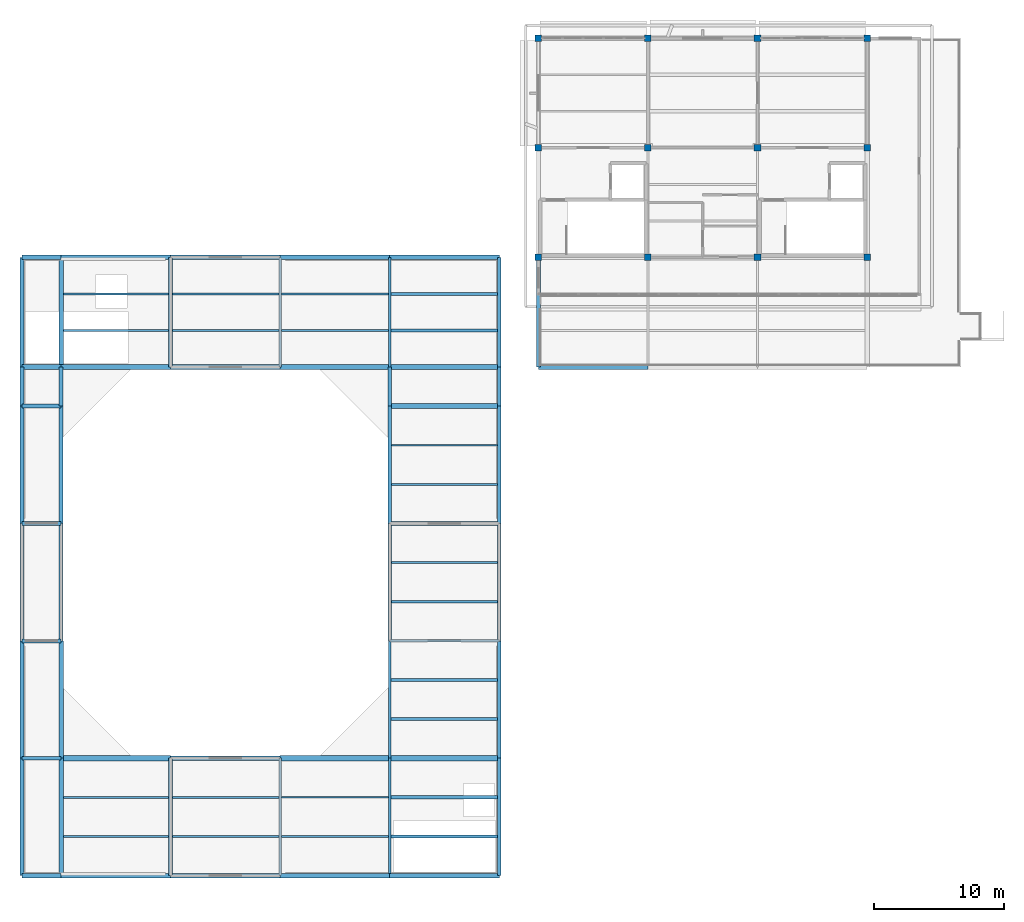
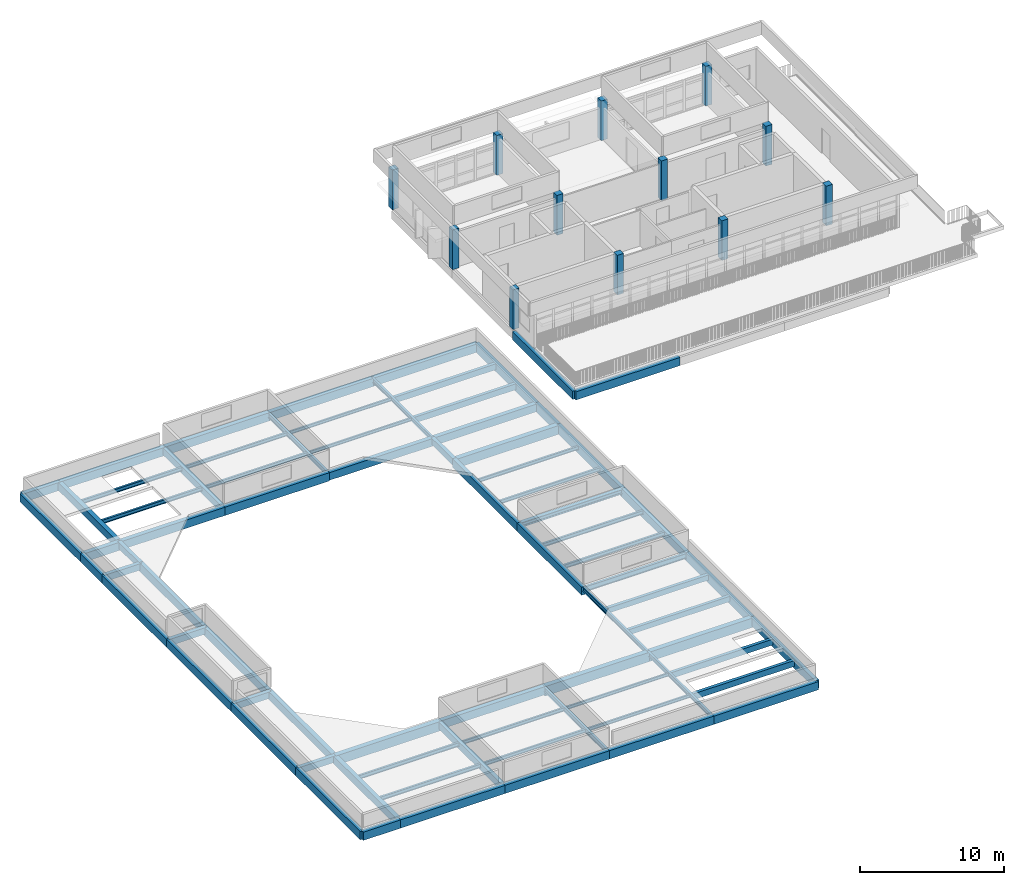
# One storey, part 1 of 14: 78 beams, 12 columns.
"""IFC4 building model written with IfcOpenShell, lengths in metres."""

import ifcopenshell
import ifcopenshell.guid

model = None  # the IFC model being written
_history = None  # IfcOwnerHistory: only IFC2X3 demands one
_inside = {}  # id of a spatial element -> (the spatial element, [elements in it])
_under = {}  # id of a project, library or spatial element -> (it, [spatial elements below it])
_declared = {}  # id of a project -> (the project, [libraries it declares])
_typed = {}  # id of a type object -> (the type object, [elements of that type])
_made_of = {}  # id of a material, layer set ... -> (it, [elements and type objects made of it])


def new_model(schema):
    """Start an empty IFC model of exactly this schema.

    Asked for "IFC4X3", IfcOpenShell would pick the latest addendum, in which some entities
    have other attributes; the version numbers below select the first issue.
    IFC2X3 requires an IfcOwnerHistory on every rooted entity: one is made here for all.
    """
    global model, _history
    if schema == "IFC4X3":
        model = ifcopenshell.file(schema_version=(4, 3, 0, 0))
    else:
        model = ifcopenshell.file(schema=schema)
    _inside.clear()
    _under.clear()
    _declared.clear()
    _typed.clear()
    _made_of.clear()
    _history = None
    if model.schema == "IFC2X3":
        org = make("IfcOrganization", Name="unknown")
        user = make(
            "IfcPersonAndOrganization",
            ThePerson=make("IfcPerson", FamilyName="unknown"),
            TheOrganization=org,
        )
        app = make(
            "IfcApplication",
            ApplicationDeveloper=org,
            Version="unknown",
            ApplicationFullName="unknown",
            ApplicationIdentifier="unknown",
        )
        _history = make(
            "IfcOwnerHistory",
            OwningUser=user,
            OwningApplication=app,
            ChangeAction="ADDED",
            CreationDate=0,
        )
    return model


def make(cls, **values):
    """One entity of the class cls with the attributes given. An attribute that is None is left unset."""
    return model.create_entity(
        cls, **{name: value for name, value in values.items() if value is not None}
    )


def rooted(cls, **values):
    """An entity with a GlobalId (a new one), such as an element, a storey or a relation."""
    return make(cls, GlobalId=ifcopenshell.guid.new(), OwnerHistory=_history, **values)


def si_unit(unit_type, name, prefix=None):
    """IfcSIUnit, for example si_unit("LENGTHUNIT", "METRE", prefix="MILLI")."""
    return make("IfcSIUnit", UnitType=unit_type, Prefix=prefix, Name=name)


def assignment(units):
    """IfcUnitAssignment: the units of a project."""
    return None if units is None else make("IfcUnitAssignment", Units=units)


def point(xyz):
    """IfcCartesianPoint."""
    return None if xyz is None else make("IfcCartesianPoint", Coordinates=xyz)


def direction(xyz):
    """IfcDirection."""
    return None if xyz is None else make("IfcDirection", DirectionRatios=xyz)


def frame(location, z_axis=None, x_axis=None):
    """IfcAxis2Placement3D, a coordinate frame: its origin and axes. An axis left out is left unset."""
    return make(
        "IfcAxis2Placement3D",
        Location=point(location),
        Axis=direction(z_axis),
        RefDirection=direction(x_axis),
    )


def frame_2d(location, x_axis=None):
    """IfcAxis2Placement2D, a coordinate frame in the plane: its origin and x axis."""
    return make(
        "IfcAxis2Placement2D", Location=point(location), RefDirection=direction(x_axis)
    )


def origin():
    """The frame at (0, 0, 0) with its axes left unset."""
    return frame((0.0, 0.0, 0.0))


def origin_2d():
    """The frame at (0, 0) in the plane with its x axis left unset."""
    return frame_2d((0.0, 0.0))


def place(relative_to, where):
    """IfcLocalPlacement: puts the frame where relative to a parent placement (None: the world)."""
    return make(
        "IfcLocalPlacement", PlacementRelTo=relative_to, RelativePlacement=where
    )


def context(
    kind, dimensions, precision=None, world=None, true_north=None, identifier=None
):
    """IfcGeometricRepresentationContext, for example the 3D "Model" context."""
    return make(
        "IfcGeometricRepresentationContext",
        ContextIdentifier=identifier,
        ContextType=kind,
        CoordinateSpaceDimension=dimensions,
        Precision=precision,
        WorldCoordinateSystem=world,
        TrueNorth=true_north,
    )


def subcontext(parent, identifier, kind, view, scale=None):
    """IfcGeometricRepresentationSubContext, for example "Body" below "Model"."""
    return make(
        "IfcGeometricRepresentationSubContext",
        ContextIdentifier=identifier,
        ContextType=kind,
        ParentContext=parent,
        TargetScale=scale,
        TargetView=view,
    )


def project(units=None, contexts=None):
    """IfcProject with its units and contexts."""
    return rooted(
        "IfcProject",
        Name="project",
        RepresentationContexts=contexts,
        UnitsInContext=assignment(units),
    )


def spatial(cls, under=None, at=None, **own):
    """A site, building, storey or space (cls), placed at a placement, below another one or the project."""
    s = rooted(cls, ObjectPlacement=at, **own)
    if under is not None:
        _under.setdefault(under.id(), (under, []))[1].append(s)
    return s


def profile(cls, at=None, kind="AREA", **sizes):
    """A parametric profile (cls). Its sizes go by their IFC names, for example OverallWidth=200.0."""
    return make(cls, ProfileType=kind, Position=at, **sizes)


def rectangle(**sizes):
    """IfcRectangleProfileDef."""
    return profile("IfcRectangleProfileDef", **sizes)


def i_section(**sizes):
    """IfcIShapeProfileDef."""
    return profile("IfcIShapeProfileDef", **sizes)


def extrude(swept, where, along, depth):
    """IfcExtrudedAreaSolid: the profile swept, set in the frame where, extruded along a direction by depth."""
    return make(
        "IfcExtrudedAreaSolid",
        SweptArea=swept,
        Position=where,
        ExtrudedDirection=direction(along),
        Depth=depth,
    )


def shape(context_of_items, identifier, shape_type, items):
    """IfcShapeRepresentation: the items that make up one representation, for example the "Body"."""
    return make(
        "IfcShapeRepresentation",
        ContextOfItems=context_of_items,
        RepresentationIdentifier=identifier,
        RepresentationType=shape_type,
        Items=items,
    )


def material(Name=None, Category=None):
    """IfcMaterial."""
    return make("IfcMaterial", Name=Name, Category=Category)


def material_profile(
    of_material, cross_section, Name=None, Category=None, Priority=None
):
    """IfcMaterialProfile: a cross section and its material."""
    return make(
        "IfcMaterialProfile",
        Name=Name,
        Material=of_material,
        Profile=cross_section,
        Priority=Priority,
        Category=Category,
    )


def profile_set(profiles, Name=None, composite=None):
    """IfcMaterialProfileSet."""
    return make(
        "IfcMaterialProfileSet",
        Name=Name,
        MaterialProfiles=profiles,
        CompositeProfile=composite,
    )


def made_of(thing, what):
    """Note that an element or type object is made of a material, layer set ...; save() writes the relation."""
    if what is not None:
        _made_of.setdefault(what.id(), (what, []))[1].append(thing)
    return thing


def type_object(cls, material=None, **own):
    """A type object (cls), such as IfcWallType, which elements share."""
    return made_of(rooted(cls, **own), material)


def element(
    cls,
    number,
    at=None,
    inside=None,
    cuts=None,
    type_object=None,
    material=None,
    context=None,
    identifier="Body",
    shape_type=None,
    held_by="IfcProductDefinitionShape",
    body=None,
    shapes=None,
    **own,
):
    """One element of the class cls, such as IfcWall. Its Tag is "e" and its number.

    at: its placement. inside: the storey or other place that contains it. cuts: it is an
    opening in that element (IfcRelVoidsElement). A single representation is given by context,
    identifier, shape_type and body (its items); several are given by shapes. held_by: the class
    of the entity that holds the representations. save() writes the other relations.
    """
    e = rooted(cls, Tag="e%d" % number, ObjectPlacement=at, **own)
    if body is not None:
        shapes = [shape(context, identifier, shape_type, body)]
    if shapes is not None:
        e.Representation = make(held_by, Representations=shapes)
    if inside is not None:
        _inside.setdefault(inside.id(), (inside, []))[1].append(e)
    if cuts is not None:
        rooted(
            "IfcRelVoidsElement", RelatingBuildingElement=cuts, RelatedOpeningElement=e
        )
    if type_object is not None:
        _typed.setdefault(type_object.id(), (type_object, []))[1].append(e)
    return made_of(e, material)


def aggregate(whole, parts):
    """IfcRelAggregates: a whole, such as a stair, and the parts it consists of."""
    return rooted("IfcRelAggregates", RelatingObject=whole, RelatedObjects=parts)


def save(model, path):
    """Write the relations noted so far, then the file.

    IfcRelAggregates (storeys below a building ...), IfcRelContainedInSpatialStructure (elements
    in a storey), IfcRelDefinesByType, IfcRelAssociatesMaterial and IfcRelDeclares: one each for
    every whole, place, type object, material and project.
    """
    for whole, parts in _under.values():
        aggregate(whole, parts)
    for where, things in _inside.values():
        rooted(
            "IfcRelContainedInSpatialStructure",
            RelatedElements=things,
            RelatingStructure=where,
        )
    for kind, things in _typed.values():
        rooted("IfcRelDefinesByType", RelatedObjects=things, RelatingType=kind)
    for what, things in _made_of.values():
        rooted("IfcRelAssociatesMaterial", RelatedObjects=things, RelatingMaterial=what)
    for by, libraries in _declared.values():
        rooted("IfcRelDeclares", RelatingContext=by, RelatedDefinitions=libraries)
    model.write(path)


model = new_model("IFC4")

# Units and contexts
model_context = context("Model", 3, precision=1e-05, world=origin(), true_north=direction((0.0, 1.0)))
body_context = subcontext(model_context, "Body", "Model", "MODEL_VIEW")
ifc_project = project(units=[si_unit("LENGTHUNIT", "METRE"), si_unit("AREAUNIT", "SQUARE_METRE"), si_unit("VOLUMEUNIT", "CUBIC_METRE"), si_unit("PLANEANGLEUNIT", "RADIAN"), si_unit("MASSUNIT", "GRAM", prefix="KILO")], contexts=[model_context])

# Site, building, storey
site_placement = place(None, origin())
site = spatial("IfcSite", under=ifc_project, at=site_placement, CompositionType="ELEMENT")
building_placement = place(site_placement, origin())
building = spatial("IfcBuilding", under=site, at=building_placement, Name="Vanh Quang Courtyard School", CompositionType="ELEMENT")
storey_placement = place(building_placement, frame((0.0, 0.0, 22.199951171875)))
storey = spatial("IfcBuildingStorey", under=building, at=storey_placement, Name="L06", CompositionType="ELEMENT", Elevation=22.199951171875)

# Columns
ifc_material_1 = material(Name="Concrete C35/45", Category="concrete")
ifc_material_profile_1 = material_profile(ifc_material_1, rectangle(XDim=0.5, YDim=0.5, at=origin_2d()), Name="RC-COL 500x500")
ifc_profile_set_1 = profile_set([ifc_material_profile_1], Name="Concrete C35/45")
column_type = type_object("IfcColumnType", Name="COL-RC-500", PredefinedType="COLUMN", material=ifc_profile_set_1)
for number, where, z_axis, x_axis, name in (
    (1, (77.39990234375, 79.800048828125, 0.0), (0.0, 0.0, 1.0), (1.0, 0.0, 0.0), "Column C-05 (L06)"),
    (2, (77.39990234375, 88.199951171875, 0.0), (0.0, 0.0, 1.0), (1.0, 0.0, 0.0), "Column C-05 (L06)"),
    (3, (77.39990234375, 96.60009765625, 0.0), (0.0, 0.0, 1.0), (1.0, 0.0, 0.0), "Column C-05 (L06)"),
    (4, (85.800048828125, 79.800048828125, 0.0), (0.0, 0.0, 1.0), (1.0, 0.0, 0.0), "Column C-05 (L06)"),
    (5, (85.800048828125, 88.199951171875, 0.0), (0.0, 0.0, 1.0), (1.0, 0.0, 0.0), "Column C-05 (L06)"),
    (6, (85.800048828125, 96.60009765625, 0.0), (0.0, 0.0, 1.0), (1.0, 0.0, 0.0), "Column C-05 (L06)"),
    (7, (94.199951171875, 79.800048828125, 0.0), (0.0, 0.0, 1.0), (1.0, 0.0, 0.0), "Column C-05 (L06)"),
    (8, (94.199951171875, 88.199951171875, 0.0), (0.0, 0.0, 1.0), (1.0, 0.0, 0.0), "Column C-05 (L06)"),
    (9, (94.199951171875, 96.60009765625, 0.0), (0.0, 0.0, 1.0), (1.0, 0.0, 0.0), "Column C-05 (L06)"),
    (10, (102.60009765625, 79.800048828125, 0.0), (0.0, 0.0, 1.0), (1.0, 0.0, 0.0), "Column C-05 (L06)"),
    (11, (102.60009765625, 88.199951171875, 0.0), (0.0, 0.0, 1.0), (1.0, 0.0, 0.0), "Column C-05 (L06)"),
    (12, (102.60009765625, 96.60009765625, 0.0), (0.0, 0.0, 1.0), (1.0, 0.0, 0.0), "Column C-05 (L06)"),
):
    element("IfcColumn", number, at=place(storey_placement, frame(where, z_axis=z_axis, x_axis=x_axis)), inside=storey, type_object=column_type, Name=name, PredefinedType="COLUMN", context=body_context, shape_type="SweptSolid", body=[
        extrude(rectangle(XDim=0.5, YDim=0.5, at=origin_2d()), origin(), (0.0, 0.0, 1.0), 3.380126953125),
    ])

# Beams
ifc_material_profile_2 = material_profile(ifc_material_1, rectangle(XDim=0.300048828125, YDim=0.550048828125, at=origin_2d()), Name="RC-BM 300x550")
ifc_profile_set_2 = profile_set([ifc_material_profile_2], Name="Concrete C35/45")
beam_type_1 = type_object("IfcBeamType", Name="BM-RC-300x550", PredefinedType="BEAM", material=ifc_profile_set_2)
for number, where, z_axis, x_axis, name in (
    (13, (37.800048828125, 41.39990234375, -0.52490234375), (1.0, 0.0, 0.0), (0.0, 1.0, 0.0), "Beam B-07 (L06)"),
    (14, (37.800048828125, 50.39990234375, -0.52490234375), (1.0, 0.0, 0.0), (0.0, 1.0, 0.0), "Beam B-07 (L06)"),
    (15, (37.800048828125, 59.39990234375, -0.52490234375), (1.0, 0.0, 0.0), (0.0, 1.0, 0.0), "Beam B-07 (L06)"),
    (16, (37.800048828125, 68.39990234375, -0.52490234375), (1.0, 0.0, 0.0), (0.0, 1.0, 0.0), "Beam B-07 (L06)"),
    (17, (40.800048828125, 68.39990234375, -0.52490234375), (0.0, 1.0, 0.0), (-1.0, 0.0, 0.0), "Beam B-07 (L06)"),
    (18, (66.0, 68.39990234375, -0.52490234375), (0.0, 1.0, 0.0), (-1.0, 0.0, 0.0), "Beam B-07 (L06)"),
):
    element("IfcBeam", number, at=place(storey_placement, frame(where, z_axis=z_axis, x_axis=x_axis)), inside=storey, type_object=beam_type_1, Name=name, PredefinedType="BEAM", context=body_context, shape_type="SweptSolid", body=[
        extrude(rectangle(XDim=0.300048828125, YDim=0.550048828125, at=origin_2d()), origin(), (0.0, 0.0, 1.0), 3.0),
    ])
ifc_material_profile_3 = material_profile(ifc_material_1, rectangle(XDim=0.300048828125, YDim=0.60009765625, at=origin_2d()), Name="RC-BM 300x600")
ifc_profile_set_3 = profile_set([ifc_material_profile_3], Name="Concrete C35/45")
beam_type_2 = type_object("IfcBeamType", Name="BM-RC-300x600", PredefinedType="BEAM", material=ifc_profile_set_3)
beam_1_placement = place(storey_placement, frame((49.199951171875, 32.39990234375, -0.550048828125), z_axis=(0.0, 1.0, 0.0), x_axis=(-1.0, 0.0, 0.0)))
element("IfcBeam", 19, at=beam_1_placement, inside=storey, type_object=beam_type_2, Name="Beam B-06 (L06)", PredefinedType="BEAM", context=body_context, shape_type="SweptSolid", body=[
    extrude(rectangle(XDim=0.300048828125, YDim=0.60009765625, at=origin_2d()), origin(), (0.0, 0.0, 1.0), 9.0),
])
beam_2_placement = place(storey_placement, frame((49.199951171875, 71.39990234375, -0.550048828125), z_axis=(0.0, 1.0, 0.0), x_axis=(-1.0, 0.0, 0.0)))
element("IfcBeam", 20, at=beam_2_placement, inside=storey, type_object=beam_type_2, Name="Beam B-06 (L06)", PredefinedType="BEAM", context=body_context, shape_type="SweptSolid", body=[
    extrude(rectangle(XDim=0.300048828125, YDim=0.60009765625, at=origin_2d()), origin(), (0.0, 0.0, 1.0), 8.400146484375),
])
ifc_material_profile_4 = material_profile(ifc_material_1, rectangle(XDim=0.35009765625, YDim=0.64990234375, at=origin_2d()), Name="RC-BM 350x650")
ifc_profile_set_4 = profile_set([ifc_material_profile_4], Name="Concrete C35/45")
beam_type_3 = type_object("IfcBeamType", Name="BM-RC-350x650", PredefinedType="BEAM", material=ifc_profile_set_4)
for number, where, z_axis, x_axis, name in (
    (21, (57.60009765625, 71.39990234375, -0.574951171875), (1.0, 0.0, 0.0), (0.0, 1.0, 0.0), "Beam B-05 (L06)"),
    (22, (66.0, 71.39990234375, -0.574951171875), (1.0, 0.0, 0.0), (0.0, 1.0, 0.0), "Beam B-05 (L06)"),
):
    element("IfcBeam", number, at=place(storey_placement, frame(where, z_axis=z_axis, x_axis=x_axis)), inside=storey, type_object=beam_type_3, Name=name, PredefinedType="BEAM", context=body_context, shape_type="SweptSolid", body=[
        extrude(rectangle(XDim=0.35009765625, YDim=0.64990234375, at=origin_2d()), origin(), (0.0, 0.0, 1.0), 8.39990234375),
    ])
for number, where, z_axis, x_axis, name in (
    (23, (40.800048828125, 32.39990234375, -0.574951171875), (0.0, 1.0, 0.0), (-1.0, 0.0, 0.0), "Beam B-05 (L06)"),
    (24, (40.800048828125, 41.39990234375, -0.574951171875), (0.0, 1.0, 0.0), (-1.0, 0.0, 0.0), "Beam B-05 (L06)"),
):
    element("IfcBeam", number, at=place(storey_placement, frame(where, z_axis=z_axis, x_axis=x_axis)), inside=storey, type_object=beam_type_3, Name=name, PredefinedType="BEAM", context=body_context, shape_type="SweptSolid", body=[
        extrude(rectangle(XDim=0.35009765625, YDim=0.64990234375, at=origin_2d()), origin(), (0.0, 0.0, 1.0), 9.0),
    ])
beam_3_placement = place(storey_placement, frame((40.800048828125, 71.39990234375, -0.574951171875), z_axis=(0.0, 1.0, 0.0), x_axis=(-1.0, 0.0, 0.0)))
element("IfcBeam", 25, at=beam_3_placement, inside=storey, type_object=beam_type_3, Name="Beam B-05 (L06)", PredefinedType="BEAM", context=body_context, shape_type="SweptSolid", body=[
    extrude(rectangle(XDim=0.35009765625, YDim=0.64990234375, at=origin_2d()), origin(), (0.0, 0.0, 1.0), 8.400146484375),
])
ifc_material_profile_5 = material_profile(ifc_material_1, rectangle(XDim=0.35009765625, YDim=0.699951171875, at=origin_2d()), Name="RC-BM 350x700")
ifc_profile_set_5 = profile_set([ifc_material_profile_5], Name="Concrete C35/45")
beam_type_4 = type_object("IfcBeamType", Name="BM-RC-350x700", PredefinedType="BEAM", material=ifc_profile_set_5)
beam_4_placement = place(storey_placement, frame((37.800048828125, 32.39990234375, -0.599853515625), z_axis=(1.0, 0.0, 0.0), x_axis=(0.0, 1.0, 0.0)))
element("IfcBeam", 26, at=beam_4_placement, inside=storey, type_object=beam_type_4, Name="Beam B-04 (L06)", PredefinedType="BEAM", context=body_context, shape_type="SweptSolid", body=[
    extrude(rectangle(XDim=0.35009765625, YDim=0.699951171875, at=origin_2d()), origin(), (0.0, 0.0, 1.0), 3.0),
])
beam_5_placement = place(storey_placement, frame((40.800048828125, 32.39990234375, -0.599853515625), z_axis=(1.0, 0.0, 0.0), x_axis=(0.0, 1.0, 0.0)))
element("IfcBeam", 27, at=beam_5_placement, inside=storey, type_object=beam_type_4, Name="Beam B-04 (L06)", PredefinedType="BEAM", context=body_context, shape_type="SweptSolid", body=[
    extrude(rectangle(XDim=0.35009765625, YDim=0.699951171875, at=origin_2d()), origin(), (0.0, 0.0, 1.0), 8.39990234375),
])
beam_6_placement = place(storey_placement, frame((49.199951171875, 32.39990234375, -0.599853515625), z_axis=(1.0, 0.0, 0.0), x_axis=(0.0, 1.0, 0.0)))
element("IfcBeam", 28, at=beam_6_placement, inside=storey, type_object=beam_type_4, Name="Beam B-04 (L06)", PredefinedType="BEAM", context=body_context, shape_type="SweptSolid", body=[
    extrude(rectangle(XDim=0.35009765625, YDim=0.699951171875, at=origin_2d()), origin(), (0.0, 0.0, 1.0), 8.400146484375),
])
for number, where, z_axis, x_axis, name in (
    (29, (57.60009765625, 32.39990234375, -0.599853515625), (1.0, 0.0, 0.0), (0.0, 1.0, 0.0), "Beam B-04 (L06)"),
    (30, (66.0, 32.39990234375, -0.599853515625), (1.0, 0.0, 0.0), (0.0, 1.0, 0.0), "Beam B-04 (L06)"),
):
    element("IfcBeam", number, at=place(storey_placement, frame(where, z_axis=z_axis, x_axis=x_axis)), inside=storey, type_object=beam_type_4, Name=name, PredefinedType="BEAM", context=body_context, shape_type="SweptSolid", body=[
        extrude(rectangle(XDim=0.35009765625, YDim=0.699951171875, at=origin_2d()), origin(), (0.0, 0.0, 1.0), 8.39990234375),
    ])
beam_7_placement = place(storey_placement, frame((49.199951171875, 41.39990234375, -0.599853515625), z_axis=(1.0, 0.0, 0.0), x_axis=(0.0, 1.0, 0.0)))
element("IfcBeam", 31, at=beam_7_placement, inside=storey, type_object=beam_type_4, Name="Beam B-04 (L06)", PredefinedType="BEAM", context=body_context, shape_type="SweptSolid", body=[
    extrude(rectangle(XDim=0.35009765625, YDim=0.699951171875, at=origin_2d()), origin(), (0.0, 0.0, 1.0), 8.400146484375),
])
beam_8_placement = place(storey_placement, frame((37.800048828125, 71.39990234375, -0.599853515625), z_axis=(1.0, 0.0, 0.0), x_axis=(0.0, 1.0, 0.0)))
element("IfcBeam", 32, at=beam_8_placement, inside=storey, type_object=beam_type_4, Name="Beam B-04 (L06)", PredefinedType="BEAM", context=body_context, shape_type="SweptSolid", body=[
    extrude(rectangle(XDim=0.35009765625, YDim=0.699951171875, at=origin_2d()), origin(), (0.0, 0.0, 1.0), 3.0),
])
beam_9_placement = place(storey_placement, frame((40.800048828125, 71.39990234375, -0.599853515625), z_axis=(1.0, 0.0, 0.0), x_axis=(0.0, 1.0, 0.0)))
element("IfcBeam", 33, at=beam_9_placement, inside=storey, type_object=beam_type_4, Name="Beam B-04 (L06)", PredefinedType="BEAM", context=body_context, shape_type="SweptSolid", body=[
    extrude(rectangle(XDim=0.35009765625, YDim=0.699951171875, at=origin_2d()), origin(), (0.0, 0.0, 1.0), 8.39990234375),
])
for number, where, z_axis, x_axis, name in (
    (34, (49.199951171875, 71.39990234375, -0.599853515625), (1.0, 0.0, 0.0), (0.0, 1.0, 0.0), "Beam B-04 (L06)"),
    (35, (77.39990234375, 71.39990234375, -0.669921875), (1.0, 0.0, 0.0), (0.0, 1.0, 0.0), "Beam B-04 (L06)"),
):
    element("IfcBeam", number, at=place(storey_placement, frame(where, z_axis=z_axis, x_axis=x_axis)), inside=storey, type_object=beam_type_4, Name=name, PredefinedType="BEAM", context=body_context, shape_type="SweptSolid", body=[
        extrude(rectangle(XDim=0.35009765625, YDim=0.699951171875, at=origin_2d()), origin(), (0.0, 0.0, 1.0), 8.400146484375),
    ])
beam_10_placement = place(storey_placement, frame((37.800048828125, 79.800048828125, -0.599853515625), z_axis=(1.0, 0.0, 0.0), x_axis=(0.0, 1.0, 0.0)))
element("IfcBeam", 36, at=beam_10_placement, inside=storey, type_object=beam_type_4, Name="Beam B-04 (L06)", PredefinedType="BEAM", context=body_context, shape_type="SweptSolid", body=[
    extrude(rectangle(XDim=0.35009765625, YDim=0.699951171875, at=origin_2d()), origin(), (0.0, 0.0, 1.0), 3.0),
])
beam_11_placement = place(storey_placement, frame((40.800048828125, 79.800048828125, -0.599853515625), z_axis=(1.0, 0.0, 0.0), x_axis=(0.0, 1.0, 0.0)))
element("IfcBeam", 37, at=beam_11_placement, inside=storey, type_object=beam_type_4, Name="Beam B-04 (L06)", PredefinedType="BEAM", context=body_context, shape_type="SweptSolid", body=[
    extrude(rectangle(XDim=0.35009765625, YDim=0.699951171875, at=origin_2d()), origin(), (0.0, 0.0, 1.0), 8.39990234375),
])
beam_12_placement = place(storey_placement, frame((49.199951171875, 79.800048828125, -0.599853515625), z_axis=(1.0, 0.0, 0.0), x_axis=(0.0, 1.0, 0.0)))
element("IfcBeam", 38, at=beam_12_placement, inside=storey, type_object=beam_type_4, Name="Beam B-04 (L06)", PredefinedType="BEAM", context=body_context, shape_type="SweptSolid", body=[
    extrude(rectangle(XDim=0.35009765625, YDim=0.699951171875, at=origin_2d()), origin(), (0.0, 0.0, 1.0), 8.400146484375),
])
for number, where, z_axis, x_axis, name in (
    (39, (57.60009765625, 79.800048828125, -0.599853515625), (1.0, 0.0, 0.0), (0.0, 1.0, 0.0), "Beam B-04 (L06)"),
    (40, (66.0, 79.800048828125, -0.599853515625), (1.0, 0.0, 0.0), (0.0, 1.0, 0.0), "Beam B-04 (L06)"),
):
    element("IfcBeam", number, at=place(storey_placement, frame(where, z_axis=z_axis, x_axis=x_axis)), inside=storey, type_object=beam_type_4, Name=name, PredefinedType="BEAM", context=body_context, shape_type="SweptSolid", body=[
        extrude(rectangle(XDim=0.35009765625, YDim=0.699951171875, at=origin_2d()), origin(), (0.0, 0.0, 1.0), 8.39990234375),
    ])
ifc_material_profile_6 = material_profile(ifc_material_1, rectangle(XDim=0.39990234375, YDim=0.75, at=origin_2d()), Name="RC-BM 400x750")
ifc_profile_set_6 = profile_set([ifc_material_profile_6], Name="Concrete C35/45")
beam_type_5 = type_object("IfcBeamType", Name="BM-RC-400x750", PredefinedType="BEAM", material=ifc_profile_set_6)
beam_13_placement = place(storey_placement, frame((66.0, 68.39990234375, -0.625), z_axis=(1.0, 0.0, 0.0), x_axis=(0.0, 1.0, 0.0)))
element("IfcBeam", 41, at=beam_13_placement, inside=storey, type_object=beam_type_5, Name="Beam B-03 (L06)", PredefinedType="BEAM", context=body_context, shape_type="SweptSolid", body=[
    extrude(rectangle(XDim=0.39990234375, YDim=0.75, at=origin_2d()), origin(), (0.0, 0.0, 1.0), 8.39990234375),
])
ifc_material_profile_7 = material_profile(ifc_material_1, rectangle(XDim=0.39990234375, YDim=0.800048828125, at=origin_2d()), Name="RC-BM 400x800")
ifc_profile_set_7 = profile_set([ifc_material_profile_7], Name="Concrete C35/45")
beam_type_6 = type_object("IfcBeamType", Name="BM-RC-400x800", PredefinedType="BEAM", material=ifc_profile_set_7)
for number, where, z_axis, x_axis, name in (
    (42, (40.800048828125, 41.39990234375, -0.64990234375), (1.0, 0.0, 0.0), (0.0, 1.0, 0.0), "Beam B-02 (L06)"),
    (43, (57.60009765625, 41.39990234375, -0.64990234375), (1.0, 0.0, 0.0), (0.0, 1.0, 0.0), "Beam B-02 (L06)"),
    (44, (66.0, 41.39990234375, -0.64990234375), (1.0, 0.0, 0.0), (0.0, 1.0, 0.0), "Beam B-02 (L06)"),
):
    element("IfcBeam", number, at=place(storey_placement, frame(where, z_axis=z_axis, x_axis=x_axis)), inside=storey, type_object=beam_type_6, Name=name, PredefinedType="BEAM", context=body_context, shape_type="SweptSolid", body=[
        extrude(rectangle(XDim=0.39990234375, YDim=0.800048828125, at=origin_2d()), origin(), (0.0, 0.0, 1.0), 8.39990234375),
    ])
ifc_material_profile_8 = material_profile(ifc_material_1, rectangle(XDim=0.300048828125, YDim=0.699951171875, at=origin_2d()), Name="RC-SP 300x700")
ifc_profile_set_8 = profile_set([ifc_material_profile_8], Name="Concrete C35/45")
beam_type_7 = type_object("IfcBeamType", Name="BM-SP-300x700", PredefinedType="SPANDREL", material=ifc_profile_set_8)
for number, where, z_axis, x_axis, name in (
    (45, (37.800048828125, 32.39990234375, -0.599853515625), (0.0, 1.0, 0.0), (-1.0, 0.0, 0.0), "Beam BS-01 (L06)"),
    (46, (37.800048828125, 41.39990234375, -0.599853515625), (0.0, 1.0, 0.0), (-1.0, 0.0, 0.0), "Beam BS-01 (L06)"),
    (47, (37.800048828125, 50.39990234375, -0.599853515625), (0.0, 1.0, 0.0), (-1.0, 0.0, 0.0), "Beam BS-01 (L06)"),
    (48, (37.800048828125, 59.39990234375, -0.599853515625), (0.0, 1.0, 0.0), (-1.0, 0.0, 0.0), "Beam BS-01 (L06)"),
):
    element("IfcBeam", number, at=place(storey_placement, frame(where, z_axis=z_axis, x_axis=x_axis)), inside=storey, type_object=beam_type_7, Name=name, PredefinedType="SPANDREL", context=body_context, shape_type="SweptSolid", body=[
        extrude(rectangle(XDim=0.300048828125, YDim=0.699951171875, at=origin_2d()), origin(), (0.0, 0.0, 1.0), 9.0),
    ])
beam_14_placement = place(storey_placement, frame((37.800048828125, 68.39990234375, -0.599853515625), z_axis=(0.0, 1.0, 0.0), x_axis=(-1.0, 0.0, 0.0)))
element("IfcBeam", 49, at=beam_14_placement, inside=storey, type_object=beam_type_7, Name="Beam BS-01 (L06)", PredefinedType="SPANDREL", context=body_context, shape_type="SweptSolid", body=[
    extrude(rectangle(XDim=0.300048828125, YDim=0.699951171875, at=origin_2d()), origin(), (0.0, 0.0, 1.0), 3.0),
])
beam_15_placement = place(storey_placement, frame((37.800048828125, 71.39990234375, -0.599853515625), z_axis=(0.0, 1.0, 0.0), x_axis=(-1.0, 0.0, 0.0)))
element("IfcBeam", 50, at=beam_15_placement, inside=storey, type_object=beam_type_7, Name="Beam BS-01 (L06)", PredefinedType="SPANDREL", context=body_context, shape_type="SweptSolid", body=[
    extrude(rectangle(XDim=0.300048828125, YDim=0.699951171875, at=origin_2d()), origin(), (0.0, 0.0, 1.0), 8.400146484375),
])
for number, where, z_axis, x_axis, name in (
    (51, (40.800048828125, 50.39990234375, -0.599853515625), (0.0, 1.0, 0.0), (-1.0, 0.0, 0.0), "Beam BS-01 (L06)"),
    (52, (40.800048828125, 59.39990234375, -0.599853515625), (0.0, 1.0, 0.0), (-1.0, 0.0, 0.0), "Beam BS-01 (L06)"),
    (53, (66.0, 50.39990234375, -0.599853515625), (0.0, 1.0, 0.0), (-1.0, 0.0, 0.0), "Beam BS-01 (L06)"),
    (54, (66.0, 59.39990234375, -0.599853515625), (0.0, 1.0, 0.0), (-1.0, 0.0, 0.0), "Beam BS-01 (L06)"),
    (55, (74.39990234375, 32.39990234375, -0.599853515625), (0.0, 1.0, 0.0), (-1.0, 0.0, 0.0), "Beam BS-01 (L06)"),
    (56, (74.39990234375, 41.39990234375, -0.599853515625), (0.0, 1.0, 0.0), (-1.0, 0.0, 0.0), "Beam BS-01 (L06)"),
    (57, (74.39990234375, 50.39990234375, -0.599853515625), (0.0, 1.0, 0.0), (-1.0, 0.0, 0.0), "Beam BS-01 (L06)"),
    (58, (74.39990234375, 59.39990234375, -0.599853515625), (0.0, 1.0, 0.0), (-1.0, 0.0, 0.0), "Beam BS-01 (L06)"),
):
    element("IfcBeam", number, at=place(storey_placement, frame(where, z_axis=z_axis, x_axis=x_axis)), inside=storey, type_object=beam_type_7, Name=name, PredefinedType="SPANDREL", context=body_context, shape_type="SweptSolid", body=[
        extrude(rectangle(XDim=0.300048828125, YDim=0.699951171875, at=origin_2d()), origin(), (0.0, 0.0, 1.0), 9.0),
    ])
beam_16_placement = place(storey_placement, frame((74.39990234375, 68.39990234375, -0.599853515625), z_axis=(0.0, 1.0, 0.0), x_axis=(-1.0, 0.0, 0.0)))
element("IfcBeam", 59, at=beam_16_placement, inside=storey, type_object=beam_type_7, Name="Beam BS-01 (L06)", PredefinedType="SPANDREL", context=body_context, shape_type="SweptSolid", body=[
    extrude(rectangle(XDim=0.300048828125, YDim=0.699951171875, at=origin_2d()), origin(), (0.0, 0.0, 1.0), 3.0),
])
for number, where, z_axis, x_axis, name in (
    (60, (74.39990234375, 71.39990234375, -0.599853515625), (0.0, 1.0, 0.0), (-1.0, 0.0, 0.0), "Beam BS-01 (L06)"),
    (61, (77.39990234375, 71.39990234375, -0.669921875), (0.0, 1.0, 0.0), (-1.0, 0.0, 0.0), "Beam BS-01 (L06)"),
):
    element("IfcBeam", number, at=place(storey_placement, frame(where, z_axis=z_axis, x_axis=x_axis)), inside=storey, type_object=beam_type_7, Name=name, PredefinedType="SPANDREL", context=body_context, shape_type="SweptSolid", body=[
        extrude(rectangle(XDim=0.300048828125, YDim=0.699951171875, at=origin_2d()), origin(), (0.0, 0.0, 1.0), 8.400146484375),
    ])
ifc_material_2 = material(Name="Structural steel EN 10025-2 S355J2", Category="steel")
ifc_material_profile_9 = material_profile(ifc_material_2, i_section(OverallWidth=0.300048828125, OverallDepth=0.389892578125, WebThickness=0.010986328125, FlangeThickness=0.01904296875, FilletRadius=0.027099609375, at=origin_2d()), Name="HEA 400")
ifc_profile_set_9 = profile_set([ifc_material_profile_9], Name="Structural steel EN 10025-2 S355J2")
beam_type_8 = type_object("IfcBeamType", Name="BM-STL-HEA400", PredefinedType="BEAM", material=ifc_profile_set_9)
beam_17_placement = place(storey_placement, frame((66.0, 59.39990234375, -0.445068359375), z_axis=(1.0, 0.0, 0.0), x_axis=(0.0, 1.0, 0.0)))
element("IfcBeam", 62, at=beam_17_placement, inside=storey, type_object=beam_type_8, Name="Beam SB-08 (L06)", PredefinedType="BEAM", context=body_context, shape_type="SweptSolid", body=[
    extrude(i_section(OverallWidth=0.300048828125, OverallDepth=0.389892578125, WebThickness=0.010986328125, FlangeThickness=0.01904296875, FilletRadius=0.027099609375, at=origin_2d()), origin(), (0.0, 0.0, 1.0), 8.39990234375),
])
ifc_material_profile_10 = material_profile(ifc_material_2, i_section(OverallWidth=0.169921875, OverallDepth=0.360107421875, WebThickness=0.008056640625, FlangeThickness=0.0126953125, FilletRadius=0.01806640625, at=origin_2d()), Name="IPE 360")
ifc_profile_set_10 = profile_set([ifc_material_profile_10], Name="Structural steel EN 10025-2 S355J2")
beam_type_9 = type_object("IfcBeamType", Name="BM-STL-IPE360", PredefinedType="BEAM", material=ifc_profile_set_10)
for number, where, z_axis, x_axis, name in (
    (63, (66.0, 32.39990234375, -0.429931640625), (0.0, 1.0, 0.0), (-1.0, 0.0, 0.0), "Beam SB-06 (L06)"),
    (64, (66.0, 41.39990234375, -0.429931640625), (0.0, 1.0, 0.0), (-1.0, 0.0, 0.0), "Beam SB-06 (L06)"),
):
    element("IfcBeam", number, at=place(storey_placement, frame(where, z_axis=z_axis, x_axis=x_axis)), inside=storey, type_object=beam_type_9, Name=name, PredefinedType="BEAM", context=body_context, shape_type="SweptSolid", body=[
        extrude(i_section(OverallWidth=0.169921875, OverallDepth=0.360107421875, WebThickness=0.008056640625, FlangeThickness=0.0126953125, FilletRadius=0.01806640625, at=origin_2d()), origin(), (0.0, 0.0, 1.0), 9.0),
    ])
beam_18_placement = place(storey_placement, frame((66.0, 71.39990234375, -0.429931640625), z_axis=(0.0, 1.0, 0.0), x_axis=(-1.0, 0.0, 0.0)))
element("IfcBeam", 65, at=beam_18_placement, inside=storey, type_object=beam_type_9, Name="Beam SB-06 (L06)", PredefinedType="BEAM", context=body_context, shape_type="SweptSolid", body=[
    extrude(i_section(OverallWidth=0.169921875, OverallDepth=0.360107421875, WebThickness=0.008056640625, FlangeThickness=0.0126953125, FilletRadius=0.01806640625, at=origin_2d()), origin(), (0.0, 0.0, 1.0), 8.400146484375),
])
ifc_material_profile_11 = material_profile(ifc_material_2, i_section(OverallWidth=0.179931640625, OverallDepth=0.39990234375, WebThickness=0.008544921875, FlangeThickness=0.013427734375, FilletRadius=0.02099609375, at=origin_2d()), Name="IPE 400")
ifc_profile_set_11 = profile_set([ifc_material_profile_11], Name="Structural steel EN 10025-2 S355J2")
beam_type_10 = type_object("IfcBeamType", Name="BM-STL-IPE400", PredefinedType="BEAM", material=ifc_profile_set_11)
beam_19_placement = place(storey_placement, frame((57.60009765625, 32.39990234375, -0.449951171875), z_axis=(0.0, 1.0, 0.0), x_axis=(-1.0, 0.0, 0.0)))
element("IfcBeam", 66, at=beam_19_placement, inside=storey, type_object=beam_type_10, Name="Beam SB-05 (L06)", PredefinedType="BEAM", context=body_context, shape_type="SweptSolid", body=[
    extrude(i_section(OverallWidth=0.179931640625, OverallDepth=0.39990234375, WebThickness=0.008544921875, FlangeThickness=0.013427734375, FilletRadius=0.02099609375, at=origin_2d()), origin(), (0.0, 0.0, 1.0), 9.0),
])
beam_20_placement = place(storey_placement, frame((57.60009765625, 71.39990234375, -0.449951171875), z_axis=(0.0, 1.0, 0.0), x_axis=(-1.0, 0.0, 0.0)))
element("IfcBeam", 67, at=beam_20_placement, inside=storey, type_object=beam_type_10, Name="Beam SB-05 (L06)", PredefinedType="BEAM", context=body_context, shape_type="SweptSolid", body=[
    extrude(i_section(OverallWidth=0.179931640625, OverallDepth=0.39990234375, WebThickness=0.008544921875, FlangeThickness=0.013427734375, FilletRadius=0.02099609375, at=origin_2d()), origin(), (0.0, 0.0, 1.0), 8.400146484375),
])
ifc_material_profile_12 = material_profile(ifc_material_2, i_section(OverallWidth=0.18994140625, OverallDepth=0.449951171875, WebThickness=0.009521484375, FlangeThickness=0.0146484375, FilletRadius=0.02099609375, at=origin_2d()), Name="IPE 450")
ifc_profile_set_12 = profile_set([ifc_material_profile_12], Name="Structural steel EN 10025-2 S355J2")
beam_type_11 = type_object("IfcBeamType", Name="BM-STL-IPE450", PredefinedType="BEAM", material=ifc_profile_set_12)
beam_21_placement = place(storey_placement, frame((66.0, 50.39990234375, -0.474853515625), z_axis=(1.0, 0.0, 0.0), x_axis=(0.0, 1.0, 0.0)))
element("IfcBeam", 68, at=beam_21_placement, inside=storey, type_object=beam_type_11, Name="Beam SB-04 (L06)", PredefinedType="BEAM", context=body_context, shape_type="SweptSolid", body=[
    extrude(i_section(OverallWidth=0.18994140625, OverallDepth=0.449951171875, WebThickness=0.009521484375, FlangeThickness=0.0146484375, FilletRadius=0.02099609375, at=origin_2d()), origin(), (0.0, 0.0, 1.0), 8.39990234375),
])
ifc_material_3 = material(Name="Concrete C30/37", Category="concrete")
ifc_material_profile_13 = material_profile(ifc_material_3, rectangle(XDim=0.25, YDim=0.449951171875, at=origin_2d()), Name="RC-JST 250x450")
ifc_profile_set_13 = profile_set([ifc_material_profile_13], Name="Concrete C30/37")
beam_type_12 = type_object("IfcBeamType", Name="JST-RC-250x450", PredefinedType="JOIST", material=ifc_profile_set_13)
for number, where, z_axis, x_axis, name in (
    (69, (66.0849609375, 44.39990234375, -0.474853515625), (1.0, 0.0, 0.0), (0.0, 1.0, 0.0), "Beam BJ-02 (L06)"),
    (70, (66.0849609375, 47.39990234375, -0.474853515625), (1.0, 0.0, 0.0), (0.0, 1.0, 0.0), "Beam BJ-02 (L06)"),
):
    element("IfcBeam", number, at=place(storey_placement, frame(where, z_axis=z_axis, x_axis=x_axis)), inside=storey, type_object=beam_type_12, Name=name, PredefinedType="JOIST", context=body_context, shape_type="SweptSolid", body=[
        extrude(rectangle(XDim=0.25, YDim=0.449951171875, at=origin_2d()), origin(), (0.0, 0.0, 1.0), 8.1650390625),
    ])
ifc_material_profile_14 = material_profile(ifc_material_3, rectangle(XDim=0.25, YDim=0.5, at=origin_2d()), Name="RC-JST 250x500")
ifc_profile_set_14 = profile_set([ifc_material_profile_14], Name="Concrete C30/37")
beam_type_13 = type_object("IfcBeamType", Name="JST-RC-250x500", PredefinedType="JOIST", material=ifc_profile_set_14)
for number, where, z_axis, x_axis, name in (
    (71, (66.0849609375, 35.39990234375, -0.5), (1.0, 0.0, 0.0), (0.0, 1.0, 0.0), "Beam BJ-01 (L06)"),
    (72, (66.0849609375, 38.39990234375, -0.5), (1.0, 0.0, 0.0), (0.0, 1.0, 0.0), "Beam BJ-01 (L06)"),
    (73, (66.0849609375, 74.199951171875, -0.5), (1.0, 0.0, 0.0), (0.0, 1.0, 0.0), "Beam BJ-01 (L06)"),
    (74, (66.0849609375, 77.0, -0.5), (1.0, 0.0, 0.0), (0.0, 1.0, 0.0), "Beam BJ-01 (L06)"),
):
    element("IfcBeam", number, at=place(storey_placement, frame(where, z_axis=z_axis, x_axis=x_axis)), inside=storey, type_object=beam_type_13, Name=name, PredefinedType="JOIST", context=body_context, shape_type="SweptSolid", body=[
        extrude(rectangle(XDim=0.25, YDim=0.5, at=origin_2d()), origin(), (0.0, 0.0, 1.0), 8.1650390625),
    ])
ifc_material_profile_15 = material_profile(ifc_material_2, i_section(OverallWidth=0.135009765625, OverallDepth=0.27001953125, WebThickness=0.006591796875, FlangeThickness=0.01025390625, FilletRadius=0.014892578125, at=origin_2d()), Name="IPE 270")
ifc_profile_set_15 = profile_set([ifc_material_profile_15], Name="Structural steel EN 10025-2 S355J2")
beam_type_14 = type_object("IfcBeamType", Name="JST-STL-IPE270", PredefinedType="JOIST", material=ifc_profile_set_15)
for number, where, z_axis, x_axis, name in (
    (75, (57.68994140625, 35.39990234375, -0.385009765625), (1.0, 0.0, 0.0), (0.0, 1.0, 0.0), "Beam SJ-03 (L06)"),
    (76, (57.68994140625, 38.39990234375, -0.385009765625), (1.0, 0.0, 0.0), (0.0, 1.0, 0.0), "Beam SJ-03 (L06)"),
    (77, (57.68994140625, 74.199951171875, -0.385009765625), (1.0, 0.0, 0.0), (0.0, 1.0, 0.0), "Beam SJ-03 (L06)"),
    (78, (57.68994140625, 77.0, -0.385009765625), (1.0, 0.0, 0.0), (0.0, 1.0, 0.0), "Beam SJ-03 (L06)"),
):
    element("IfcBeam", number, at=place(storey_placement, frame(where, z_axis=z_axis, x_axis=x_axis)), inside=storey, type_object=beam_type_14, Name=name, PredefinedType="JOIST", context=body_context, shape_type="SweptSolid", body=[
        extrude(i_section(OverallWidth=0.135009765625, OverallDepth=0.27001953125, WebThickness=0.006591796875, FlangeThickness=0.01025390625, FilletRadius=0.014892578125, at=origin_2d()), origin(), (0.0, 0.0, 1.0), 8.22509765625),
    ])
ifc_material_profile_16 = material_profile(ifc_material_2, i_section(OverallWidth=0.14990234375, OverallDepth=0.300048828125, WebThickness=0.007080078125, FlangeThickness=0.0107421875, FilletRadius=0.014892578125, at=origin_2d()), Name="IPE 300")
ifc_profile_set_16 = profile_set([ifc_material_profile_16], Name="Structural steel EN 10025-2 S355J2")
beam_type_15 = type_object("IfcBeamType", Name="JST-STL-IPE300", PredefinedType="JOIST", material=ifc_profile_set_16)
for number, where, z_axis, x_axis, name in (
    (79, (49.35009765625, 35.39990234375, -0.39990234375), (1.0, 0.0, 0.0), (0.0, 1.0, 0.0), "Beam SJ-02 (L06)"),
    (80, (49.35009765625, 38.39990234375, -0.39990234375), (1.0, 0.0, 0.0), (0.0, 1.0, 0.0), "Beam SJ-02 (L06)"),
    (81, (49.35009765625, 74.199951171875, -0.39990234375), (1.0, 0.0, 0.0), (0.0, 1.0, 0.0), "Beam SJ-02 (L06)"),
    (82, (49.35009765625, 77.0, -0.39990234375), (1.0, 0.0, 0.0), (0.0, 1.0, 0.0), "Beam SJ-02 (L06)"),
):
    element("IfcBeam", number, at=place(storey_placement, frame(where, z_axis=z_axis, x_axis=x_axis)), inside=storey, type_object=beam_type_15, Name=name, PredefinedType="JOIST", context=body_context, shape_type="SweptSolid", body=[
        extrude(i_section(OverallWidth=0.14990234375, OverallDepth=0.300048828125, WebThickness=0.007080078125, FlangeThickness=0.0107421875, FilletRadius=0.014892578125, at=origin_2d()), origin(), (0.0, 0.0, 1.0), 8.159912109375),
    ])
for number, where, z_axis, x_axis, name in (
    (83, (66.14990234375, 62.39990234375, -0.39990234375), (1.0, 0.0, 0.0), (0.0, 1.0, 0.0), "Beam SJ-02 (L06)"),
    (84, (66.14990234375, 65.39990234375, -0.39990234375), (1.0, 0.0, 0.0), (0.0, 1.0, 0.0), "Beam SJ-02 (L06)"),
):
    element("IfcBeam", number, at=place(storey_placement, frame(where, z_axis=z_axis, x_axis=x_axis)), inside=storey, type_object=beam_type_15, Name=name, PredefinedType="JOIST", context=body_context, shape_type="SweptSolid", body=[
        extrude(i_section(OverallWidth=0.14990234375, OverallDepth=0.300048828125, WebThickness=0.007080078125, FlangeThickness=0.0107421875, FilletRadius=0.014892578125, at=origin_2d()), origin(), (0.0, 0.0, 1.0), 8.10009765625),
    ])
ifc_material_profile_17 = material_profile(ifc_material_2, i_section(OverallWidth=0.159912109375, OverallDepth=0.330078125, WebThickness=0.007568359375, FlangeThickness=0.011474609375, FilletRadius=0.01806640625, at=origin_2d()), Name="IPE 330")
ifc_profile_set_17 = profile_set([ifc_material_profile_17], Name="Structural steel EN 10025-2 S355J2")
beam_type_16 = type_object("IfcBeamType", Name="JST-STL-IPE330", PredefinedType="JOIST", material=ifc_profile_set_17)
for number, where, z_axis, x_axis, name in (
    (85, (40.97509765625, 35.39990234375, -0.4150390625), (1.0, 0.0, 0.0), (0.0, 1.0, 0.0), "Beam SJ-01 (L06)"),
    (86, (40.97509765625, 38.39990234375, -0.4150390625), (1.0, 0.0, 0.0), (0.0, 1.0, 0.0), "Beam SJ-01 (L06)"),
    (87, (40.97509765625, 74.199951171875, -0.4150390625), (1.0, 0.0, 0.0), (0.0, 1.0, 0.0), "Beam SJ-01 (L06)"),
    (88, (40.97509765625, 77.0, -0.4150390625), (1.0, 0.0, 0.0), (0.0, 1.0, 0.0), "Beam SJ-01 (L06)"),
):
    element("IfcBeam", number, at=place(storey_placement, frame(where, z_axis=z_axis, x_axis=x_axis)), inside=storey, type_object=beam_type_16, Name=name, PredefinedType="JOIST", context=body_context, shape_type="SweptSolid", body=[
        extrude(i_section(OverallWidth=0.159912109375, OverallDepth=0.330078125, WebThickness=0.007568359375, FlangeThickness=0.011474609375, FilletRadius=0.01806640625, at=origin_2d()), origin(), (0.0, 0.0, 1.0), 8.074951171875),
    ])
for number, where, z_axis, x_axis, name in (
    (89, (66.14990234375, 53.39990234375, -0.4150390625), (1.0, 0.0, 0.0), (0.0, 1.0, 0.0), "Beam SJ-01 (L06)"),
    (90, (66.14990234375, 56.39990234375, -0.4150390625), (1.0, 0.0, 0.0), (0.0, 1.0, 0.0), "Beam SJ-01 (L06)"),
):
    element("IfcBeam", number, at=place(storey_placement, frame(where, z_axis=z_axis, x_axis=x_axis)), inside=storey, type_object=beam_type_16, Name=name, PredefinedType="JOIST", context=body_context, shape_type="SweptSolid", body=[
        extrude(i_section(OverallWidth=0.159912109375, OverallDepth=0.330078125, WebThickness=0.007568359375, FlangeThickness=0.011474609375, FilletRadius=0.01806640625, at=origin_2d()), origin(), (0.0, 0.0, 1.0), 8.10009765625),
    ])

save(model, "model.ifc")
